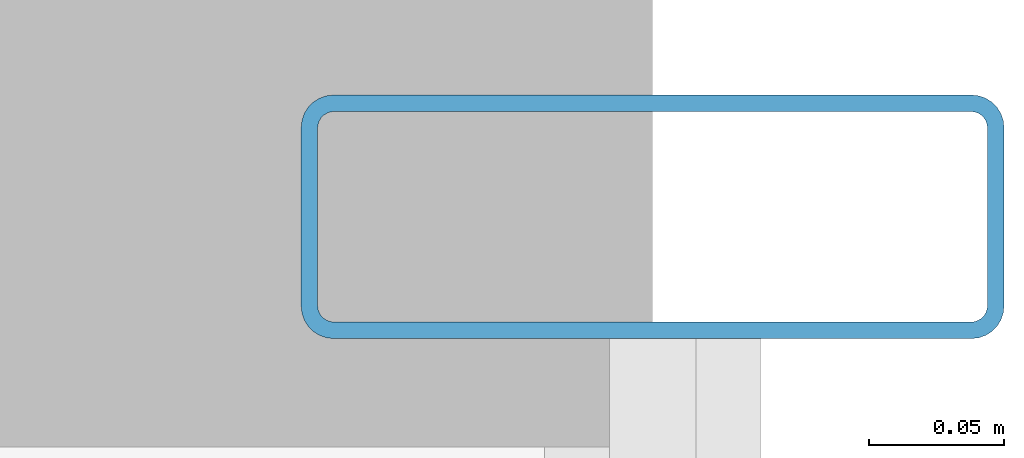
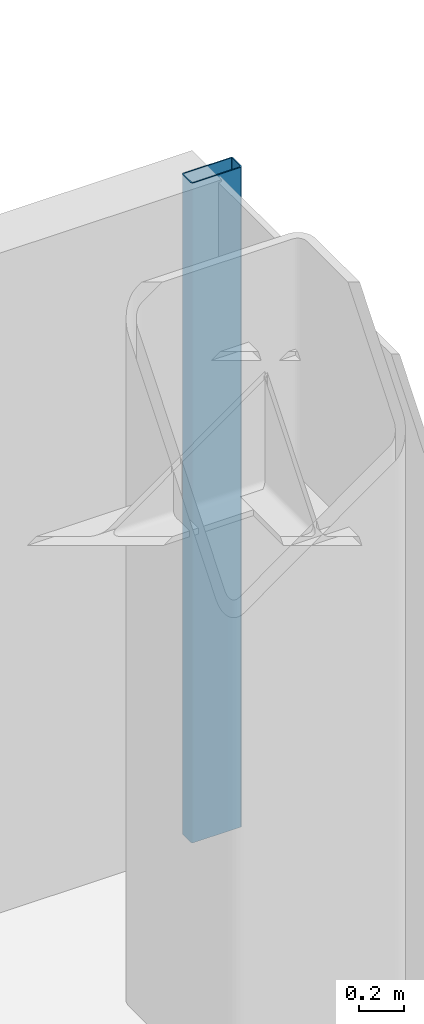
# One storey, part 18 of 26: 1 member, 1 element without a shape of its own.
"""IFC4 building model written with IfcOpenShell, lengths in metres."""

from ifc_helpers import new_model, si_unit, direction, frame, origin, origin_2d, place, context, subcontext, project, spatial, hollow_rectangle, extrude, source, transform, mapped, material, layer, layer_set, material_profile, profile_set, type_object, element, aggregate, save


model = new_model("IFC4")

# Units and contexts
model_context = context("Model", 3, precision=1e-05, world=origin(), true_north=direction((0.0, 1.0)))
body_context = subcontext(model_context, "Body", "Model", "MODEL_VIEW")
ifc_project = project(units=[si_unit("LENGTHUNIT", "METRE"), si_unit("AREAUNIT", "SQUARE_METRE"), si_unit("VOLUMEUNIT", "CUBIC_METRE"), si_unit("PLANEANGLEUNIT", "RADIAN"), si_unit("MASSUNIT", "GRAM", prefix="KILO")], contexts=[model_context])

# Site, building, storey
site_placement = place(None, origin())
site = spatial("IfcSite", under=ifc_project, at=site_placement, CompositionType="ELEMENT")
building_placement = place(site_placement, origin())
building = spatial("IfcBuilding", under=site, at=building_placement, Name="Nefas-Gora Pilgrimage Tower", CompositionType="ELEMENT")
storey_placement = place(building_placement, frame((0.0, 0.0, 106.0)))
storey = spatial("IfcBuildingStorey", under=building, at=storey_placement, Name="L25", CompositionType="ELEMENT", Elevation=106.0)

# Curtain wall, member
ifc_material_1 = material(Name="Dark ceramic-fritted solar-control aluminium-glass curtain wall", Category="aluminium")
ifc_layer = layer(ifc_material_1, 0.219970703125)
ifc_layer_set = layer_set([ifc_layer], Name="Dark ceramic-fritted solar-control aluminium-glass curtain wall")
curtain_wall_type = type_object("IfcCurtainWallType", Name="CW-SYS-2", PredefinedType="NOTDEFINED", material=ifc_layer_set)
curtain_wall_placement = place(storey_placement, origin())
curtain_wall = element("IfcCurtainWall", 1, at=curtain_wall_placement, inside=storey, type_object=curtain_wall_type, Name="L25 Unitised Curtain Wall CW2", PredefinedType="NOTDEFINED")
ifc_material_2 = material(Name="Anodised architectural aluminium", Category="aluminium")
ifc_material_profile = material_profile(ifc_material_2, hollow_rectangle(XDim=0.090087890625, YDim=0.260009765625, WallThickness=0.006103515625, InnerFilletRadius=0.006103515625, OuterFilletRadius=0.011962890625, at=origin_2d()), Name="ALU MULLION 90x260")
ifc_profile_set = profile_set([ifc_material_profile], Name="Anodised architectural aluminium")
member_type = type_object("IfcMemberType", Name="CWM-MUL-2", PredefinedType="MULLION", material=ifc_profile_set)
shared_shape = source(origin(), body_context, "Body", "SweptSolid", [
    extrude(hollow_rectangle(XDim=0.090087890625, YDim=0.260009765625, WallThickness=0.006103515625, InnerFilletRadius=0.006103515625, OuterFilletRadius=0.011962890625, at=origin_2d()), origin(), (0.0, 0.0, 1.0), 3.550048828125),
])
member_placement = place(storey_placement, frame((34.27001953125, 14.875, 0.0), z_axis=(0.0, 0.0, 1.0), x_axis=(0.0, 1.0, 0.0)))
member = element("IfcMember", 2, at=member_placement, type_object=member_type, Name="CW2 Mullion 2", PredefinedType="MULLION", context=body_context, shape_type="MappedRepresentation", body=[
    mapped(shared_shape, transform((0.0, 0.0, 0.0), x_axis=(1.0, 0.0, 0.0), y_axis=(0.0, 1.0, 0.0), z_axis=(0.0, 0.0, 1.0), scale=1.0)),
])
aggregate(curtain_wall, [member])

save(model, "model.ifc")
